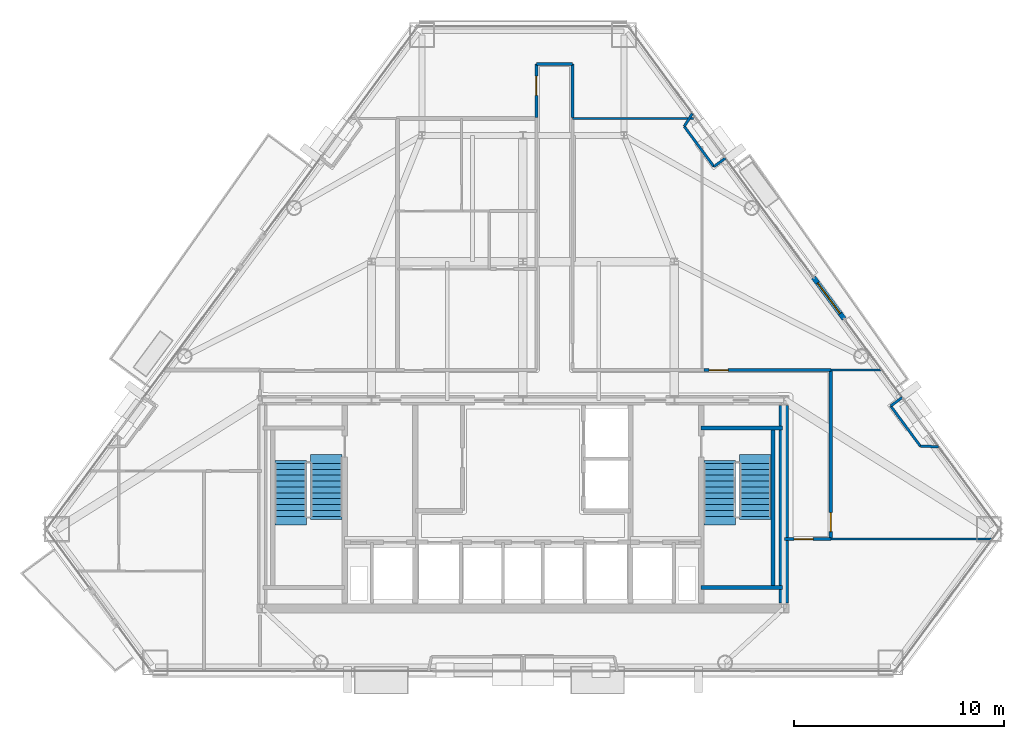
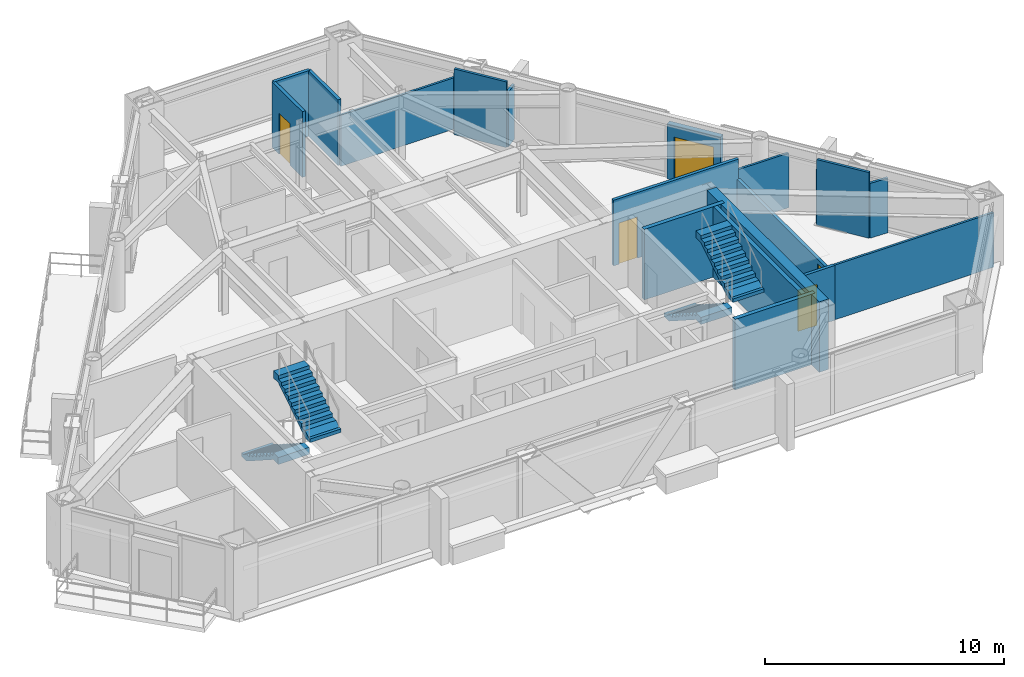
# One storey, part 9 of 11: 20 walls, 5 doors, 4 stair flights, 5 openings, 2 elements without a shape of their own.
"""IFC4 building model written with IfcOpenShell, lengths in metres."""

from ifc_helpers import new_model, si_unit, direction, frame, frame_2d, origin, place, context, subcontext, project, spatial, polyline, rectangle, outline, extrude, material, layer, layer_set, type_object, element, fill, aggregate, save


model = new_model("IFC4")

# Units and contexts
model_context = context("Model", 3, precision=1e-05, world=origin(), true_north=direction((0.0, 1.0)))
body_context = subcontext(model_context, "Body", "Model", "MODEL_VIEW")
ifc_project = project(units=[si_unit("LENGTHUNIT", "METRE"), si_unit("AREAUNIT", "SQUARE_METRE"), si_unit("VOLUMEUNIT", "CUBIC_METRE"), si_unit("PLANEANGLEUNIT", "RADIAN"), si_unit("MASSUNIT", "GRAM", prefix="KILO")], contexts=[model_context])

# Site, building, storey
site_placement = place(None, origin())
site = spatial("IfcSite", under=ifc_project, at=site_placement, CompositionType="ELEMENT")
building_placement = place(site_placement, origin())
building = spatial("IfcBuilding", under=site, at=building_placement, Name="Talgorran Terracotta Tower", CompositionType="ELEMENT")
storey_placement = place(building_placement, frame((0.0, 0.0, 150.89990234375)))
storey = spatial("IfcBuildingStorey", under=building, at=storey_placement, Name="L39", CompositionType="ELEMENT", Elevation=150.89990234375)

# Wall, opening, door
ifc_material_1 = material(Name="Concrete C40/50", Category="concrete")
ifc_layer_1 = layer(ifc_material_1, 0.239990234375, Name="WT_BALCONY_SPAND")
ifc_layer_set_1 = layer_set([ifc_layer_1], Name="Concrete C40/50")
wall_type_1 = type_object("IfcWallType", Name="WT_BALCONY_SPAND", PredefinedType="STANDARD", material=ifc_layer_set_1)
wall_1_placement = place(storey_placement, frame((15.27490234375, -0.323974609375, -0.014892578125), z_axis=(0.0, 0.0, 1.0), x_axis=(-0.594092829232, 0.804396488216, 0.0)))
wall_1 = element("IfcWall", 1, at=wall_1_placement, inside=storey, type_object=wall_type_1, Name="WL-L39-BALP-BAL-NE", PredefinedType="STANDARD", context=body_context, shape_type="SweptSolid", body=[
    extrude(rectangle(XDim=2.440185546875, YDim=0.239990234375, at=frame_2d((1.22021484375, 0.0))), origin(), (0.0, 0.0, 1.0), 2.806884765625),
])
opening_1_placement = place(wall_1_placement, frame((0.320068359375, 0.0, 0.014892578125)))
opening_1 = element("IfcOpeningElement", 2, at=opening_1_placement, cuts=wall_1, Name="Opening D-BAL-L39-1", PredefinedType="OPENING", context=body_context, shape_type="SweptSolid", body=[
    extrude(rectangle(XDim=1.806048828125, YDim=2.203951171875, at=frame_2d((0.89990234375, 1.10205078125))), frame((0.0, 0.1298828125, 0.0), z_axis=(0.0, -1.0, 0.0), x_axis=(1.0, 0.0, 0.0)), (0.0, 0.0, 1.0), 0.260009765625),
])
ifc_material_2 = material(Name="Thermally Broken Aluminium", Category="aluminium")
door_type_1 = type_object("IfcDoorType", Name="DT_BALC_1800", OperationType="SLIDING_TO_LEFT", PredefinedType="DOOR", material=ifc_material_2)
door_1_placement = place(opening_1_placement, origin())
door_1 = element("IfcDoor", 3, at=door_1_placement, inside=storey, type_object=door_type_1, Name="DR-L39-BAL-BAL-NE", OperationType="SLIDING_TO_LEFT", OverallHeight=2.199951171875, OverallWidth=1.800048828125, PredefinedType="DOOR", context=body_context, shape_type="SweptSolid", body=[
    extrude(rectangle(XDim=1.800048828125, YDim=2.199951171875, at=frame_2d((0.89990234375, 1.10009765625))), frame((0.0, 0.02490234375, 0.0), z_axis=(0.0, -1.0, 0.0), x_axis=(1.0, 0.0, 0.0)), (0.0, 0.0, 1.0), 0.050048828125),
])
fill(opening_1, door_1)

# Walls
ifc_material_3 = material(Name="Concrete C50/60", Category="concrete")
ifc_layer_2 = layer(ifc_material_3, 0.199951171875, Name="WT_CORE_200")
ifc_layer_set_2 = layer_set([ifc_layer_2], Name="Concrete C50/60")
wall_type_2 = type_object("IfcWallType", Name="WT_CORE_200", PredefinedType="SOLIDWALL", material=ifc_layer_set_2)
for number, where, z_axis, x_axis, name in (
    (4, (8.47998046875, -5.52001953125, 0.0), (0.0, 0.0, 1.0), (1.0, 0.0, 0.0), "WL-L39-CW-ST2-N"),
    (5, (8.47998046875, -13.10009765625, 0.0), (0.0, 0.0, 1.0), (1.0, 0.0, 0.0), "WL-L39-CW-ST2-S"),
):
    element("IfcWall", number, at=place(storey_placement, frame(where, z_axis=z_axis, x_axis=x_axis)), inside=storey, type_object=wall_type_2, Name=name, PredefinedType="SOLIDWALL", context=body_context, shape_type="SweptSolid", body=[
        extrude(rectangle(XDim=3.8701171875, YDim=0.199951171875, at=frame_2d((1.93505859375, 0.0))), origin(), (0.0, 0.0, 1.0), 3.60009765625),
    ])
wall_2_placement = place(storey_placement, frame((11.89990234375, -13.10009765625, 0.0), z_axis=(0.0, 0.0, 1.0), x_axis=(0.0, 1.0, 0.0)))
element("IfcWall", 6, at=wall_2_placement, inside=storey, type_object=wall_type_2, Name="WL-L39-CW-ST2-E", PredefinedType="SOLIDWALL", context=body_context, shape_type="SweptSolid", body=[
    extrude(rectangle(XDim=7.580078125, YDim=0.199951171875, at=frame_2d((3.7900390625, 0.0))), origin(), (0.0, 0.0, 1.0), 3.60009765625),
])
ifc_material_4 = material(Name="Concrete C65/80", Category="concrete")
ifc_layer_3 = layer(ifc_material_4, 0.449951171875, Name="WT_CORE_EXT")
ifc_layer_set_3 = layer_set([ifc_layer_3], Name="Concrete C65/80")
wall_type_3 = type_object("IfcWallType", Name="WT_CORE_EXT", PredefinedType="SHEAR", material=ifc_layer_set_3)
wall_3_placement = place(storey_placement, frame((12.39990234375, -13.85009765625, 0.0), z_axis=(0.0, 0.0, 1.0), x_axis=(0.0, 1.0, 0.0)))
element("IfcWall", 7, at=wall_3_placement, inside=storey, type_object=wall_type_3, Name="WL-L39-CW-OUT-E", PredefinedType="SHEAR", context=body_context, shape_type="SweptSolid", body=[
    extrude(rectangle(XDim=9.400146484375, YDim=0.449951171875, at=frame_2d((4.7001953125, 0.0))), origin(), (0.0, 0.0, 1.0), 3.60009765625),
])

# Wall, opening, door
ifc_material_5 = material(Name="Fire-Rated Steel Stud Plasterboard", Category="steel")
ifc_layer_4 = layer(ifc_material_5, 0.14990234375, Name="WT_FIRE_150")
ifc_layer_set_4 = layer_set([ifc_layer_4], Name="Fire-Rated Steel Stud Plasterboard")
wall_type_4 = type_object("IfcWallType", Name="WT_FIRE_150", PredefinedType="PARTITIONING", material=ifc_layer_set_4)
wall_4_placement = place(storey_placement, frame((14.639892578125, -10.800048828125, 0.0), z_axis=(0.0, 0.0, 1.0), x_axis=(0.0, 1.0, 0.0)))
wall_4 = element("IfcWall", 8, at=wall_4_placement, inside=storey, type_object=wall_type_4, Name="WL-L39-W-L39-R02", PredefinedType="PARTITIONING", context=body_context, shape_type="SweptSolid", body=[
    extrude(rectangle(XDim=8.0400390625, YDim=0.14990234375, at=frame_2d((4.02001953125, 0.0))), origin(), (0.0, 0.0, 1.0), 2.3251953125),
])
opening_2_placement = place(wall_4_placement, frame((0.359375, 0.0, 0.0)))
opening_2 = element("IfcOpeningElement", 9, at=opening_2_placement, cuts=wall_4, Name="Opening DR-L39-R05", PredefinedType="OPENING", context=body_context, shape_type="SweptSolid", body=[
    extrude(rectangle(XDim=0.90590234375, YDim=2.10409765625, at=frame_2d((0.449951171875, 1.052001953125))), frame((0.0, 0.0849609375, 0.0), z_axis=(0.0, -1.0, 0.0), x_axis=(1.0, 0.0, 0.0)), (0.0, 0.0, 1.0), 0.169921875),
])
ifc_material_6 = material(Name="Fire-Rated Timber Core", Category="wood")
door_type_2 = type_object("IfcDoorType", Name="DT_FIRE_900", OperationType="NOTDEFINED", PredefinedType="DOOR", material=ifc_material_6)
door_2_placement = place(opening_2_placement, origin())
door_2 = element("IfcDoor", 10, at=door_2_placement, inside=storey, type_object=door_type_2, Name="DR-L39-R05", OperationType="SINGLE_SWING_LEFT", OverallHeight=2.10009765625, OverallWidth=0.89990234375, PredefinedType="DOOR", context=body_context, shape_type="SweptSolid", body=[
    extrude(rectangle(XDim=0.89990234375, YDim=2.10009765625, at=frame_2d((0.449951171875, 1.050048828125))), frame((0.0, 0.02490234375, 0.0), z_axis=(0.0, -1.0, 0.0), x_axis=(1.0, 0.0, 0.0)), (0.0, 0.0, 1.0), 0.050048828125),
])
fill(opening_2, door_2)

wall_5_placement = place(storey_placement, frame((8.60205078125, -2.760009765625, 0.0), z_axis=(0.0, 0.0, 1.0), x_axis=(1.0, 0.0, 0.0)))
wall_5 = element("IfcWall", 11, at=wall_5_placement, inside=storey, type_object=wall_type_4, Name="WL-L39-W-L39-R14", PredefinedType="PARTITIONING", context=body_context, shape_type="SweptSolid", body=[
    extrude(rectangle(XDim=6.037841796875, YDim=0.14990234375, at=frame_2d((3.01904296875, 0.0))), origin(), (0.0, 0.0, 1.0), 3.35009765625),
])
opening_3_placement = place(wall_5_placement, frame((0.258056640625, 0.0, 0.0)))
opening_3 = element("IfcOpeningElement", 12, at=opening_3_placement, cuts=wall_5, Name="Opening DR-L39-R15", PredefinedType="OPENING", context=body_context, shape_type="SweptSolid", body=[
    extrude(rectangle(XDim=0.90590234375, YDim=2.10409765625, at=frame_2d((0.449951171875, 1.052001953125))), frame((0.0, 0.0849609375, 0.0), z_axis=(0.0, -1.0, 0.0), x_axis=(1.0, 0.0, 0.0)), (0.0, 0.0, 1.0), 0.169921875),
])
door_3_placement = place(opening_3_placement, origin())
door_3 = element("IfcDoor", 13, at=door_3_placement, inside=storey, type_object=door_type_2, Name="DR-L39-R15", OperationType="SINGLE_SWING_LEFT", OverallHeight=2.10009765625, OverallWidth=0.89990234375, PredefinedType="DOOR", context=body_context, shape_type="SweptSolid", body=[
    extrude(rectangle(XDim=0.89990234375, YDim=2.10009765625, at=frame_2d((0.449951171875, 1.050048828125))), frame((0.0, 0.02490234375, 0.0), z_axis=(0.0, -1.0, 0.0), x_axis=(1.0, 0.0, 0.0)), (0.0, 0.0, 1.0), 0.050048828125),
])
fill(opening_3, door_3)

wall_6_placement = place(storey_placement, frame((0.639892578125, 9.261962890625, 0.0), z_axis=(0.0, 0.0, 1.0), x_axis=(0.0, 1.0, 0.0)))
wall_6 = element("IfcWall", 14, at=wall_6_placement, inside=storey, type_object=wall_type_4, Name="WL-L39-W-L39-R04", PredefinedType="PARTITIONING", context=body_context, shape_type="SweptSolid", body=[
    extrude(rectangle(XDim=2.5380859375, YDim=0.14990234375, at=frame_2d((1.26904296875, 0.0))), origin(), (0.0, 0.0, 1.0), 3.35009765625),
])
opening_4_placement = place(wall_6_placement, frame((1.05029296875, 0.0, 0.0)))
opening_4 = element("IfcOpeningElement", 15, at=opening_4_placement, cuts=wall_6, Name="Opening DR-L39-R07", PredefinedType="OPENING", context=body_context, shape_type="SweptSolid", body=[
    extrude(rectangle(XDim=0.90590234375, YDim=2.10409765625, at=frame_2d((0.449951171875, 1.052001953125))), frame((0.0, 0.0849609375, 0.0), z_axis=(0.0, -1.0, 0.0), x_axis=(1.0, 0.0, 0.0)), (0.0, 0.0, 1.0), 0.169921875),
])
door_4_placement = place(opening_4_placement, origin())
door_4 = element("IfcDoor", 16, at=door_4_placement, inside=storey, type_object=door_type_2, Name="DR-L39-R07", OperationType="SINGLE_SWING_LEFT", OverallHeight=2.10009765625, OverallWidth=0.89990234375, PredefinedType="DOOR", context=body_context, shape_type="SweptSolid", body=[
    extrude(rectangle(XDim=0.89990234375, YDim=2.10009765625, at=frame_2d((0.449951171875, 1.050048828125))), frame((0.0, 0.02490234375, 0.0), z_axis=(0.0, -1.0, 0.0), x_axis=(1.0, 0.0, 0.0)), (0.0, 0.0, 1.0), 0.050048828125),
])
fill(opening_4, door_4)

# Wall
wall_7_placement = place(storey_placement, frame((2.360107421875, 9.261962890625, 0.0), z_axis=(0.0, 0.0, 1.0), x_axis=(0.0, 1.0, 0.0)))
element("IfcWall", 17, at=wall_7_placement, inside=storey, type_object=wall_type_4, Name="WL-L39-W-L39-R06", PredefinedType="PARTITIONING", context=body_context, shape_type="SweptSolid", body=[
    extrude(rectangle(XDim=2.5380859375, YDim=0.14990234375, at=frame_2d((1.26904296875, 0.0))), origin(), (0.0, 0.0, 1.0), 3.35009765625),
])

# Wall, opening, door
wall_8_placement = place(storey_placement, frame((12.43994140625, -10.800048828125, 0.0), z_axis=(0.0, 0.0, 1.0), x_axis=(1.0, 0.0, 0.0)))
wall_8 = element("IfcWall", 18, at=wall_8_placement, inside=storey, type_object=wall_type_4, Name="WL-L39-W-L39-R03", PredefinedType="PARTITIONING", context=body_context, shape_type="SweptSolid", body=[
    extrude(rectangle(XDim=2.199951171875, YDim=0.14990234375, at=frame_2d((1.10009765625, 0.0))), origin(), (0.0, 0.0, 1.0), 2.7919921875),
])
opening_5_placement = place(wall_8_placement, frame((0.456298828125, 0.0, 0.0)))
opening_5 = element("IfcOpeningElement", 19, at=opening_5_placement, cuts=wall_8, Name="Opening DR-L39-R06", PredefinedType="OPENING", context=body_context, shape_type="SweptSolid", body=[
    extrude(rectangle(XDim=0.90590234375, YDim=2.10409765625, at=frame_2d((0.449951171875, 1.052001953125))), frame((0.0, 0.0849609375, 0.0), z_axis=(0.0, -1.0, 0.0), x_axis=(1.0, 0.0, 0.0)), (0.0, 0.0, 1.0), 0.169921875),
])
door_5_placement = place(opening_5_placement, origin())
door_5 = element("IfcDoor", 20, at=door_5_placement, inside=storey, type_object=door_type_2, Name="DR-L39-R06", OperationType="SINGLE_SWING_RIGHT", OverallHeight=2.10009765625, OverallWidth=0.89990234375, PredefinedType="DOOR", context=body_context, shape_type="SweptSolid", body=[
    extrude(rectangle(XDim=0.89990234375, YDim=2.10009765625, at=frame_2d((0.449951171875, 1.050048828125))), frame((0.0, 0.02490234375, 0.0), z_axis=(0.0, -1.0, 0.0), x_axis=(1.0, 0.0, 0.0)), (0.0, 0.0, 1.0), 0.050048828125),
])
fill(opening_5, door_5)

# Walls
wall_9_placement = place(storey_placement, frame((0.639892578125, 11.800048828125, 0.0), z_axis=(0.0, 0.0, 1.0), x_axis=(1.0, 0.0, 0.0)))
element("IfcWall", 21, at=wall_9_placement, inside=storey, type_object=wall_type_4, Name="WL-L39-W-L39-R05", PredefinedType="PARTITIONING", context=body_context, shape_type="SweptSolid", body=[
    extrude(rectangle(XDim=1.72021484375, YDim=0.14990234375, at=frame_2d((0.860107421875, 0.0))), origin(), (0.0, 0.0, 1.0), 3.35009765625),
])
ifc_material_7 = material(Name="Lightweight Steel Stud Partition", Category="steel")
ifc_layer_5 = layer(ifc_material_7, 0.10498046875, Name="WT_PART_110")
ifc_layer_set_5 = layer_set([ifc_layer_5], Name="Lightweight Steel Stud Partition")
wall_type_5 = type_object("IfcWallType", Name="WT_PART_110", PredefinedType="PARTITIONING", material=ifc_layer_set_5)
wall_10_placement = place(storey_placement, frame((14.639892578125, -10.800048828125, 0.0), z_axis=(0.0, 0.0, 1.0), x_axis=(1.0, 0.0, 0.0)))
element("IfcWall", 22, at=wall_10_placement, inside=storey, type_object=wall_type_5, Name="WL-L39-W-L39-R22", PredefinedType="PARTITIONING", context=body_context, shape_type="SweptSolid", body=[
    extrude(rectangle(XDim=7.679443359375, YDim=0.10498046875, at=frame_2d((3.83984375, 0.0))), origin(), (0.0, 0.0, 1.0), 2.7919921875),
])
wall_11_placement = place(storey_placement, frame((2.360107421875, 9.199951171875, 0.0), z_axis=(0.0, 0.0, 1.0), x_axis=(1.0, 0.0, 0.0)))
element("IfcWall", 23, at=wall_11_placement, inside=storey, type_object=wall_type_5, Name="WL-L39-W-L39-R27", PredefinedType="PARTITIONING", context=body_context, shape_type="SweptSolid", body=[
    extrude(rectangle(XDim=5.760009765625, YDim=0.10498046875, at=frame_2d((2.8798828125, 0.0))), origin(), (0.0, 0.0, 1.0), 2.6171875),
])
wall_12_placement = place(storey_placement, frame((14.639892578125, -2.760009765625, 0.0), z_axis=(0.0, 0.0, 1.0), x_axis=(1.0, 0.0, 0.0)))
element("IfcWall", 24, at=wall_12_placement, inside=storey, type_object=wall_type_5, Name="WL-L39-W-L39-R23", PredefinedType="PARTITIONING", context=body_context, shape_type="SweptSolid", body=[
    extrude(rectangle(XDim=2.43408203125, YDim=0.10498046875, at=frame_2d((1.217041015625, 0.0))), origin(), (0.0, 0.0, 1.0), 2.7919921875),
])
ifc_material_8 = material(Name="Insulated Steel Stud Plasterboard", Category="steel")
ifc_layer_6 = layer(ifc_material_8, 0.1201171875, Name="WT_PART_120")
ifc_layer_set_6 = layer_set([ifc_layer_6], Name="Insulated Steel Stud Plasterboard")
wall_type_6 = type_object("IfcWallType", Name="WT_PART_120", PredefinedType="PARTITIONING", material=ifc_layer_set_6)
for number, where, z_axis, x_axis, name in (
    (25, (9.083984375, 6.914306640625, 0.0), (0.0, 0.0, 1.0), (-0.594053249338, 0.804425718728, 0.0), "WL-L39-BW-L39-18"),
    (26, (18.902587890625, -6.380859375, 0.0), (0.0, 0.0, 1.0), (-0.594053249338, 0.804425718728, 0.0), "WL-L39-BW-L39-13"),
):
    element("IfcWall", number, at=place(storey_placement, frame(where, z_axis=z_axis, x_axis=x_axis)), inside=storey, type_object=wall_type_6, Name=name, PredefinedType="PARTITIONING", context=body_context, shape_type="SweptSolid", body=[
        extrude(rectangle(XDim=2.3779296875, YDim=0.1201171875, at=frame_2d((1.18896484375, 0.0))), origin(), (0.0, 0.0, 1.0), 3.35009765625),
    ])
wall_13_placement = place(storey_placement, frame((19.75439453125, -6.40625, 0.0), z_axis=(0.0, 0.0, 1.0), x_axis=(-0.999556038353, 0.029794734305, 0.0)))
element("IfcWall", 27, at=wall_13_placement, inside=storey, type_object=wall_type_6, Name="WL-L39-BW-L39-12", PredefinedType="PARTITIONING", context=body_context, shape_type="SweptSolid", body=[
    extrude(rectangle(XDim=0.852294921875, YDim=0.1201171875, at=frame_2d((0.42626953125, 0.0))), origin(), (0.0, 0.0, 1.0), 2.7919921875),
])
wall_14_placement = place(storey_placement, frame((7.67138671875, 8.8271484375, 0.0), z_axis=(0.0, 0.0, 1.0), x_axis=(0.531553111266, 0.847024964156, 0.0)))
element("IfcWall", 28, at=wall_14_placement, inside=storey, type_object=wall_type_6, Name="WL-L39-BW-L39-19", PredefinedType="PARTITIONING", context=body_context, shape_type="SweptSolid", body=[
    extrude(rectangle(XDim=0.7197265625, YDim=0.1201171875, at=frame_2d((0.35986328125, 0.0))), origin(), (0.0, 0.0, 1.0), 2.7919921875),
])
for number, where, z_axis, x_axis, name in (
    (29, (9.622802734375, 7.312255859375, 0.0), (0.0, 0.0, 1.0), (-0.804395751644, -0.594093826543, 0.0), "WL-L39-BW-L39-17"),
    (30, (17.489990234375, -4.468017578125, 0.0), (0.0, 0.0, 1.0), (0.80452433553, 0.593919686102, 0.0), "WL-L39-BW-L39-11"),
):
    element("IfcWall", number, at=place(storey_placement, frame(where, z_axis=z_axis, x_axis=x_axis)), inside=storey, type_object=wall_type_6, Name=name, PredefinedType="PARTITIONING", context=body_context, shape_type="SweptSolid", body=[
        extrude(rectangle(XDim=0.669921875, YDim=0.1201171875, at=frame_2d((0.3349609375, 0.0))), origin(), (0.0, 0.0, 1.0), 2.7919921875),
    ])

# Stair, stair flights
stair_type = type_object("IfcStairType", Name="ST_FIRE_SCISSOR", PredefinedType="HALF_TURN_STAIR", material=ifc_material_1)
stair_1_placement = place(storey_placement, origin())
stair_1 = element("IfcStair", 31, at=stair_1_placement, inside=storey, type_object=stair_type, Name="L39 West Protected Fire Stair ST-01", PredefinedType="HALF_TURN_STAIR")
ifc_layer_7 = layer(ifc_material_1, 0.179931640625, Name="STF_RC_1500")
ifc_layer_set_7 = layer_set([ifc_layer_7], Name="Concrete C40/50")
stair_flight_type = type_object("IfcStairFlightType", Name="STF_RC_1500", PredefinedType="STRAIGHT", material=ifc_layer_set_7)
stair_flight_1_placement = place(storey_placement, frame((-11.050048828125, -7.199951171875, 0.0), z_axis=(0.0, 0.0, 1.0), x_axis=(0.0, -1.0, 0.0)))
stair_flight_1 = element("IfcStairFlight", 32, at=stair_flight_1_placement, type_object=stair_flight_type, Name="ST-01 flight 1", NumberOfRisers=10, NumberOfTreads=9, PredefinedType="STRAIGHT", RiserHeight=0.18, TreadLength=0.28, context=body_context, shape_type="SweptSolid", body=[
    extrude(outline(polyline([(-0.139892578125, 0.0), (-0.139892578125, 0.179931640625), (0.0, 0.179931640625), (0.280029296875, 0.360107421875), (0.56005859375, 0.360107421875), (0.56005859375, 0.5400390625), (0.840087890625, 0.5400390625), (0.840087890625, 0.719970703125), (1.1201171875, 0.719970703125), (1.1201171875, 0.89990234375), (1.39990234375, 0.89990234375), (1.39990234375, 1.080078125), (1.679931640625, 1.080078125), (1.679931640625, 1.260009765625), (1.9599609375, 1.260009765625), (1.9599609375, 1.43994140625), (2.239990234375, 1.43994140625), (2.239990234375, 1.6201171875), (2.52001953125, 1.6201171875), (2.52001953125, 1.800048828125), (2.93994140625, 1.800048828125), (2.93994140625, 1.44189453125), (2.52001953125, 1.44189453125), (0.277099609375, 0.0), (-0.139892578125, 0.0)])), frame((0.0, 0.75, 0.0), z_axis=(0.0, -1.0, 0.0), x_axis=(1.0, 0.0, 0.0)), (0.0, 0.0, 1.0), 1.5),
])
stair_flight_2_placement = place(storey_placement, frame((-9.35009765625, -9.719970703125, 1.800048828125), z_axis=(0.0, 0.0, 1.0), x_axis=(0.0, 1.0, 0.0)))
stair_flight_2 = element("IfcStairFlight", 33, at=stair_flight_2_placement, type_object=stair_flight_type, Name="ST-01 flight 2", NumberOfRisers=10, NumberOfTreads=9, PredefinedType="STRAIGHT", RiserHeight=0.18, TreadLength=0.28, context=body_context, shape_type="SweptSolid", body=[
    extrude(outline(polyline([(-0.139892578125, 0.0), (-0.139892578125, 0.179931640625), (0.0, 0.179931640625), (0.280029296875, 0.360107421875), (0.56005859375, 0.360107421875), (0.56005859375, 0.5400390625), (0.840087890625, 0.5400390625), (0.840087890625, 0.719970703125), (1.1201171875, 0.719970703125), (1.1201171875, 0.89990234375), (1.39990234375, 0.89990234375), (1.39990234375, 1.080078125), (1.679931640625, 1.080078125), (1.679931640625, 1.260009765625), (1.9599609375, 1.260009765625), (1.9599609375, 1.43994140625), (2.239990234375, 1.43994140625), (2.239990234375, 1.6201171875), (2.52001953125, 1.6201171875), (2.52001953125, 1.800048828125), (2.93994140625, 1.800048828125), (2.93994140625, 1.44189453125), (2.52001953125, 1.44189453125), (0.277099609375, 0.0), (-0.139892578125, 0.0)])), frame((0.0, 0.75, 0.0), z_axis=(0.0, -1.0, 0.0), x_axis=(1.0, 0.0, 0.0)), (0.0, 0.0, 1.0), 1.5),
])
aggregate(stair_1, [stair_flight_1, stair_flight_2])

stair_2_placement = place(storey_placement, origin())
stair_2 = element("IfcStair", 34, at=stair_2_placement, inside=storey, type_object=stair_type, Name="L39 East Protected Fire Stair ST-02", PredefinedType="HALF_TURN_STAIR")
stair_flight_3_placement = place(storey_placement, frame((9.35009765625, -7.199951171875, 0.0), z_axis=(0.0, 0.0, 1.0), x_axis=(0.0, -1.0, 0.0)))
stair_flight_3 = element("IfcStairFlight", 35, at=stair_flight_3_placement, type_object=stair_flight_type, Name="ST-02 flight 1", NumberOfRisers=10, NumberOfTreads=9, PredefinedType="STRAIGHT", RiserHeight=0.18, TreadLength=0.28, context=body_context, shape_type="SweptSolid", body=[
    extrude(outline(polyline([(-0.139892578125, 0.0), (-0.139892578125, 0.179931640625), (0.0, 0.179931640625), (0.280029296875, 0.360107421875), (0.56005859375, 0.360107421875), (0.56005859375, 0.5400390625), (0.840087890625, 0.5400390625), (0.840087890625, 0.719970703125), (1.1201171875, 0.719970703125), (1.1201171875, 0.89990234375), (1.39990234375, 0.89990234375), (1.39990234375, 1.080078125), (1.679931640625, 1.080078125), (1.679931640625, 1.260009765625), (1.9599609375, 1.260009765625), (1.9599609375, 1.43994140625), (2.239990234375, 1.43994140625), (2.239990234375, 1.6201171875), (2.52001953125, 1.6201171875), (2.52001953125, 1.800048828125), (2.93994140625, 1.800048828125), (2.93994140625, 1.44189453125), (2.52001953125, 1.44189453125), (0.277099609375, 0.0), (-0.139892578125, 0.0)])), frame((0.0, 0.75, 0.0), z_axis=(0.0, -1.0, 0.0), x_axis=(1.0, 0.0, 0.0)), (0.0, 0.0, 1.0), 1.5),
])
stair_flight_4_placement = place(storey_placement, frame((11.050048828125, -9.719970703125, 1.800048828125), z_axis=(0.0, 0.0, 1.0), x_axis=(0.0, 1.0, 0.0)))
stair_flight_4 = element("IfcStairFlight", 36, at=stair_flight_4_placement, type_object=stair_flight_type, Name="ST-02 flight 2", NumberOfRisers=10, NumberOfTreads=9, PredefinedType="STRAIGHT", RiserHeight=0.18, TreadLength=0.28, context=body_context, shape_type="SweptSolid", body=[
    extrude(outline(polyline([(-0.139892578125, 0.0), (-0.139892578125, 0.179931640625), (0.0, 0.179931640625), (0.280029296875, 0.360107421875), (0.56005859375, 0.360107421875), (0.56005859375, 0.5400390625), (0.840087890625, 0.5400390625), (0.840087890625, 0.719970703125), (1.1201171875, 0.719970703125), (1.1201171875, 0.89990234375), (1.39990234375, 0.89990234375), (1.39990234375, 1.080078125), (1.679931640625, 1.080078125), (1.679931640625, 1.260009765625), (1.9599609375, 1.260009765625), (1.9599609375, 1.43994140625), (2.239990234375, 1.43994140625), (2.239990234375, 1.6201171875), (2.52001953125, 1.6201171875), (2.52001953125, 1.800048828125), (2.93994140625, 1.800048828125), (2.93994140625, 1.44189453125), (2.52001953125, 1.44189453125), (0.277099609375, 0.0), (-0.139892578125, 0.0)])), frame((0.0, 0.75, 0.0), z_axis=(0.0, -1.0, 0.0), x_axis=(1.0, 0.0, 0.0)), (0.0, 0.0, 1.0), 1.5),
])
aggregate(stair_2, [stair_flight_3, stair_flight_4])

save(model, "model.ifc")
